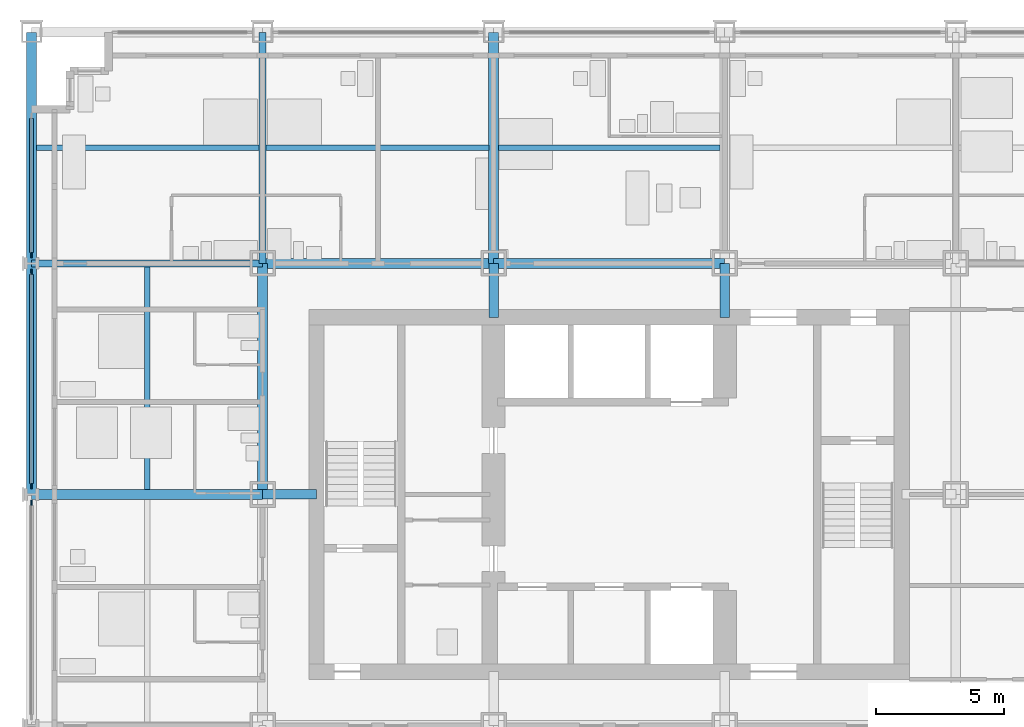
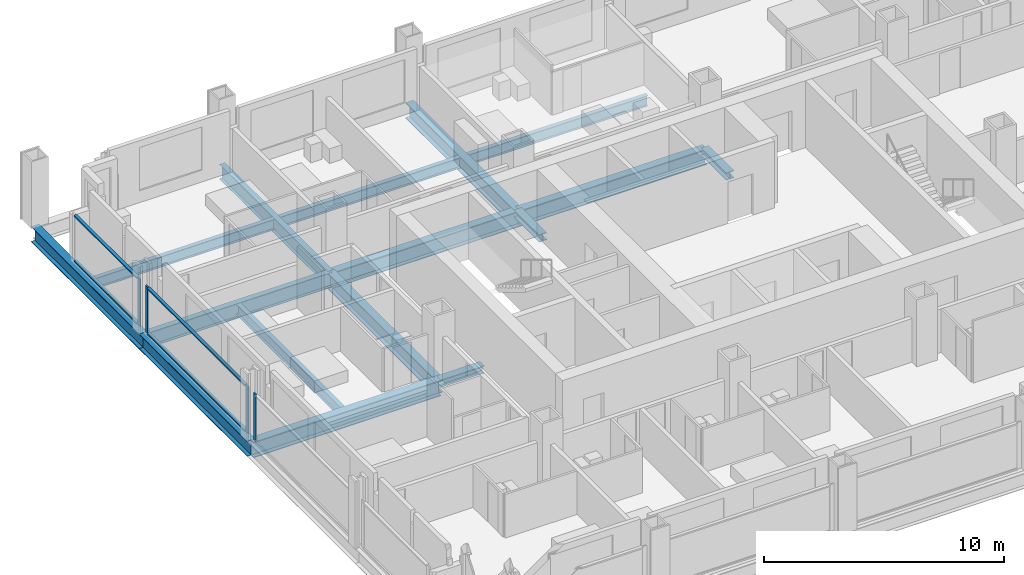
# One storey, part 4 of 19: 13 beams, 11 members, 3 elements without a shape of their own.
"""IFC4 building model written with IfcOpenShell, lengths in metres."""

from ifc_helpers import new_model, si_unit, direction, frame, origin, origin_2d, place, context, subcontext, project, spatial, rectangle, i_section, extrude, material, material_profile, profile_set, type_object, element, aggregate, save


model = new_model("IFC4")

# Units and contexts
model_context = context("Model", 3, precision=1e-05, world=origin(), true_north=direction((0.0, 1.0)))
body_context = subcontext(model_context, "Body", "Model", "MODEL_VIEW")
ifc_project = project(units=[si_unit("LENGTHUNIT", "METRE"), si_unit("AREAUNIT", "SQUARE_METRE"), si_unit("VOLUMEUNIT", "CUBIC_METRE"), si_unit("PLANEANGLEUNIT", "RADIAN"), si_unit("MASSUNIT", "GRAM", prefix="KILO")], contexts=[model_context])

# Site, building, storey
site_placement = place(None, origin())
site = spatial("IfcSite", under=ifc_project, at=site_placement, CompositionType="ELEMENT")
building_placement = place(site_placement, origin())
building = spatial("IfcBuilding", under=site, at=building_placement, Name="Loomwork Tower", CompositionType="ELEMENT")
storey_placement = place(building_placement, frame((0.0, 0.0, 85.800048828125)))
storey = spatial("IfcBuildingStorey", under=building, at=storey_placement, Name="L22", CompositionType="ELEMENT", Elevation=85.800048828125)

# Beams
ifc_material_1 = material(Name="Steel ASTM A992", Category="steel")
ifc_material_profile_1 = material_profile(ifc_material_1, i_section(OverallWidth=0.383544921875, OverallDepth=0.794921875, WebThickness=0.02099609375, FlangeThickness=0.0380859375, at=origin_2d()), Name="W30x235")
ifc_profile_set_1 = profile_set([ifc_material_profile_1], Name="Steel ASTM A992")
beam_type_1 = type_object("IfcBeamType", Name="CORE FLANK GIRDER W30x235", PredefinedType="BEAM", material=ifc_profile_set_1)
for number, where, z_axis, x_axis, name in (
    (1, (0.0, 18.0, -0.59765625), (1.0, 0.0, 0.0), (0.0, 1.0, 0.0), "Core Flank Girder F/2-F/3 L22"),
    (2, (9.0, 27.0, -0.59765625), (1.0, 0.0, 0.0), (0.0, 1.0, 0.0), "Core Flank Girder G/3-G/4 L22"),
    (3, (18.0, 27.0, -0.59765625), (1.0, 0.0, 0.0), (0.0, 1.0, 0.0), "Core Flank Girder G/4-G/5 L22"),
    (4, (9.0, 18.0, -0.59765625), (0.0, 1.0, 0.0), (-1.0, 0.0, 0.0), "Core Flank Girder F/3-G/3 L22"),
    (5, (18.0, 27.0, -0.59765625), (0.0, 1.0, 0.0), (-1.0, 0.0, 0.0), "Core Flank Girder G/4-H/4 L22"),
):
    element("IfcBeam", number, at=place(storey_placement, frame(where, z_axis=z_axis, x_axis=x_axis)), inside=storey, type_object=beam_type_1, Name=name, PredefinedType="BEAM", context=body_context, shape_type="SweptSolid", body=[
        extrude(i_section(OverallWidth=0.383544921875, OverallDepth=0.794921875, WebThickness=0.02099609375, FlangeThickness=0.0380859375, at=origin_2d()), origin(), (0.0, 0.0, 1.0), 9.0),
    ])

# Members
ifc_material_2 = material(Name="Steel ASTM A992", Category="steel")
ifc_material_profile_2 = material_profile(ifc_material_2, i_section(OverallWidth=0.373291015625, OverallDepth=0.373291015625, WebThickness=0.016357421875, FlangeThickness=0.026123046875, at=origin_2d()), Name="W14x132")
ifc_profile_set_2 = profile_set([ifc_material_profile_2], Name="Steel ASTM A992")
member_type_1 = type_object("IfcMemberType", Name="CORE LINK STRUT W14x132", PredefinedType="STRUT", material=ifc_profile_set_2)
for number, where, z_axis, x_axis, name in (
    (6, (27.0, 27.0, -0.38671875), (0.0, -1.0, 0.0), (1.0, 0.0, 0.0), "Core link strut G/5-27.000,24.900 L22"),
    (7, (18.0, 27.0, -0.38671875), (0.0, -1.0, 0.0), (1.0, 0.0, 0.0), "Core link strut G/4-18.000,24.900 L22"),
    (8, (9.0, 18.0, -0.38671875), (1.0, 0.0, 0.0), (0.0, 1.0, 0.0), "Core link strut F/3-11.100,18.000 L22"),
):
    element("IfcMember", number, at=place(storey_placement, frame(where, z_axis=z_axis, x_axis=x_axis)), inside=storey, type_object=member_type_1, Name=name, PredefinedType="STRUT", context=body_context, shape_type="SweptSolid", body=[
        extrude(i_section(OverallWidth=0.373291015625, OverallDepth=0.373291015625, WebThickness=0.016357421875, FlangeThickness=0.026123046875, at=origin_2d()), origin(), (0.0, 0.0, 1.0), 2.10009765625),
    ])

# Beams
ifc_material_3 = material(Name="Steel ASTM A992", Category="steel")
ifc_material_profile_3 = material_profile(ifc_material_3, i_section(OverallWidth=0.2666015625, OverallDepth=0.761962890625, WebThickness=0.014404296875, FlangeThickness=0.021484375, at=origin_2d()), Name="W30x116")
ifc_profile_set_3 = profile_set([ifc_material_profile_3], Name="Steel ASTM A992")
beam_type_2 = type_object("IfcBeamType", Name="FLOOR GIRDER W30x116", PredefinedType="BEAM", material=ifc_profile_set_3)
for number, where, z_axis, x_axis, name in (
    (9, (0.0, 27.0, -0.5810546875), (1.0, 0.0, 0.0), (0.0, 1.0, 0.0), "Floor Girder G/2-G/3 L22"),
    (10, (9.0, 27.0, -0.5810546875), (0.0, 1.0, 0.0), (-1.0, 0.0, 0.0), "Floor Girder G/3-H/3 L22"),
):
    element("IfcBeam", number, at=place(storey_placement, frame(where, z_axis=z_axis, x_axis=x_axis)), inside=storey, type_object=beam_type_2, Name=name, PredefinedType="BEAM", context=body_context, shape_type="SweptSolid", body=[
        extrude(i_section(OverallWidth=0.2666015625, OverallDepth=0.761962890625, WebThickness=0.014404296875, FlangeThickness=0.021484375, at=origin_2d()), origin(), (0.0, 0.0, 1.0), 9.0),
    ])
ifc_material_4 = material(Name="Steel ASTM A992", Category="steel")
ifc_material_profile_4 = material_profile(ifc_material_4, i_section(OverallWidth=0.2109375, OverallDepth=0.53857421875, WebThickness=0.011474609375, FlangeThickness=0.018798828125, at=origin_2d()), Name="W21x73")
ifc_profile_set_4 = profile_set([ifc_material_profile_4], Name="Steel ASTM A992")
beam_type_3 = type_object("IfcBeamType", Name="FLOOR JOIST W21x73", PredefinedType="JOIST", material=ifc_profile_set_4)
beam_1_placement = place(storey_placement, frame((4.5, 18.19091796875, -0.46923828125), z_axis=(0.0, 1.0, 0.0), x_axis=(-1.0, 0.0, 0.0)))
element("IfcBeam", 11, at=beam_1_placement, inside=storey, type_object=beam_type_3, Name="Floor Joist 4.500,18.000-4.500,27.000 L22", PredefinedType="JOIST", context=body_context, shape_type="SweptSolid", body=[
    extrude(i_section(OverallWidth=0.2109375, OverallDepth=0.53857421875, WebThickness=0.011474609375, FlangeThickness=0.018798828125, at=origin_2d()), origin(), (0.0, 0.0, 1.0), 8.676025390625),
])
beam_2_placement = place(storey_placement, frame((0.18994140625, 31.5, -0.46923828125), z_axis=(1.0, 0.0, 0.0), x_axis=(0.0, 1.0, 0.0)))
element("IfcBeam", 12, at=beam_2_placement, inside=storey, type_object=beam_type_3, Name="Floor Joist 0.000,31.500-9.000,31.500 L22", PredefinedType="JOIST", context=body_context, shape_type="SweptSolid", body=[
    extrude(i_section(OverallWidth=0.2109375, OverallDepth=0.53857421875, WebThickness=0.011474609375, FlangeThickness=0.018798828125, at=origin_2d()), origin(), (0.0, 0.0, 1.0), 8.677001953125),
])
beam_3_placement = place(storey_placement, frame((9.133056640625, 31.5, -0.46923828125), z_axis=(1.0, 0.0, 0.0), x_axis=(0.0, 1.0, 0.0)))
element("IfcBeam", 13, at=beam_3_placement, inside=storey, type_object=beam_type_3, Name="Floor Joist 9.000,31.500-18.000,31.500 L22", PredefinedType="JOIST", context=body_context, shape_type="SweptSolid", body=[
    extrude(i_section(OverallWidth=0.2109375, OverallDepth=0.53857421875, WebThickness=0.011474609375, FlangeThickness=0.018798828125, at=origin_2d()), origin(), (0.0, 0.0, 1.0), 8.676025390625),
])
beam_4_placement = place(storey_placement, frame((18.19091796875, 31.5, -0.46923828125), z_axis=(1.0, 0.0, 0.0), x_axis=(0.0, 1.0, 0.0)))
element("IfcBeam", 14, at=beam_4_placement, inside=storey, type_object=beam_type_3, Name="Floor Joist 18.000,31.500-27.000,31.500 L22", PredefinedType="JOIST", context=body_context, shape_type="SweptSolid", body=[
    extrude(i_section(OverallWidth=0.2109375, OverallDepth=0.53857421875, WebThickness=0.011474609375, FlangeThickness=0.018798828125, at=origin_2d()), origin(), (0.0, 0.0, 1.0), 8.6181640625),
])

# Curtain wall, member
ifc_material_5 = material(Name="Aluminium curtain wall frame", Category="aluminium")
curtain_wall_type = type_object("IfcCurtainWallType", Name="Outer skin glazing hotel", PredefinedType="NOTDEFINED", material=ifc_material_5)
curtain_wall_1_placement = place(storey_placement, origin())
curtain_wall_1 = element("IfcCurtainWall", 15, at=curtain_wall_1_placement, inside=storey, type_object=curtain_wall_type, Name="Outer skin glazing hotel cw/W-9", PredefinedType="NOTDEFINED")
ifc_material_6 = material(Name="Aluminium curtain wall frame", Category="aluminium")
ifc_material_profile_5 = material_profile(ifc_material_6, rectangle(XDim=0.06494140625, YDim=0.199951171875, at=origin_2d()), Name="AL 65x200")
ifc_profile_set_5 = profile_set([ifc_material_profile_5], Name="Aluminium curtain wall frame")
member_type_2 = type_object("IfcMemberType", Name="Outer skin glazing hotel mullion", PredefinedType="MULLION", material=ifc_profile_set_5)
member_1_placement = place(storey_placement, frame((0.0, 17.672607421875, 0.0), z_axis=(0.0, 0.0, 1.0), x_axis=(1.0, 0.0, 0.0)))
member_1 = element("IfcMember", 16, at=member_1_placement, type_object=member_type_2, Name="CW1 mullion 1", PredefinedType="MULLION", context=body_context, shape_type="SweptSolid", body=[
    extrude(rectangle(XDim=0.06494140625, YDim=0.199951171875, at=origin_2d()), origin(), (0.0, 0.0, 1.0), 2.3701171875),
])
aggregate(curtain_wall_1, [member_1])

# Curtain wall, members
curtain_wall_2_placement = place(storey_placement, origin())
curtain_wall_2 = element("IfcCurtainWall", 17, at=curtain_wall_2_placement, inside=storey, type_object=curtain_wall_type, Name="Outer skin glazing hotel cw/W-18", PredefinedType="NOTDEFINED")
member_2_placement = place(storey_placement, frame((0.0, 26.672607421875, 0.0), z_axis=(0.0, 0.0, 1.0), x_axis=(1.0, 0.0, 0.0)))
member_2 = element("IfcMember", 18, at=member_2_placement, type_object=member_type_2, Name="CW1 mullion 1", PredefinedType="MULLION", context=body_context, shape_type="SweptSolid", body=[
    extrude(rectangle(XDim=0.06494140625, YDim=0.199951171875, at=origin_2d()), origin(), (0.0, 0.0, 1.0), 2.3701171875),
])
member_3_placement = place(storey_placement, frame((0.0, 18.327392578125, 0.0), z_axis=(0.0, 0.0, 1.0), x_axis=(1.0, 0.0, 0.0)))
member_3 = element("IfcMember", 19, at=member_3_placement, type_object=member_type_2, Name="CW1 mullion 2", PredefinedType="MULLION", context=body_context, shape_type="SweptSolid", body=[
    extrude(rectangle(XDim=0.06494140625, YDim=0.199951171875, at=origin_2d()), origin(), (0.0, 0.0, 1.0), 2.3701171875),
])

# Curtain wall, member
curtain_wall_3_placement = place(storey_placement, origin())
curtain_wall_3 = element("IfcCurtainWall", 20, at=curtain_wall_3_placement, inside=storey, type_object=curtain_wall_type, Name="Outer skin glazing hotel cw/W-27", PredefinedType="NOTDEFINED")
member_4_placement = place(storey_placement, frame((0.0, 27.327392578125, 0.0), z_axis=(0.0, 0.0, 1.0), x_axis=(1.0, 0.0, 0.0)))
member_4 = element("IfcMember", 21, at=member_4_placement, type_object=member_type_2, Name="CW1 mullion 2", PredefinedType="MULLION", context=body_context, shape_type="SweptSolid", body=[
    extrude(rectangle(XDim=0.06494140625, YDim=0.199951171875, at=origin_2d()), origin(), (0.0, 0.0, 1.0), 2.3701171875),
])

# Member
ifc_material_7 = material(Name="Aluminium curtain wall frame", Category="aluminium")
ifc_material_profile_6 = material_profile(ifc_material_7, rectangle(XDim=0.14990234375, YDim=0.06494140625, at=origin_2d()), Name="AL 65x150")
ifc_profile_set_6 = profile_set([ifc_material_profile_6], Name="Aluminium curtain wall frame")
member_type_3 = type_object("IfcMemberType", Name="Outer skin glazing hotel transom", PredefinedType="USERDEFINED", material=ifc_profile_set_6)
member_5_placement = place(storey_placement, frame((0.0, 26.57275390625, 0.032470703125), z_axis=(0.0, -1.0, 0.0), x_axis=(1.0, 0.0, 0.0)))
member_5 = element("IfcMember", 22, at=member_5_placement, type_object=member_type_3, Name="CW1 transom 1.1", ObjectType="TRANSOM", PredefinedType="USERDEFINED", context=body_context, shape_type="SweptSolid", body=[
    extrude(rectangle(XDim=0.14990234375, YDim=0.06494140625, at=origin_2d()), origin(), (0.0, 0.0, 1.0), 8.1455078125),
])

member_6_placement = place(storey_placement, frame((0.0, 26.57275390625, 2.337646484375), z_axis=(0.0, -1.0, 0.0), x_axis=(1.0, 0.0, 0.0)))
member_6 = element("IfcMember", 23, at=member_6_placement, type_object=member_type_3, Name="CW1 transom 1.2", ObjectType="TRANSOM", PredefinedType="USERDEFINED", context=body_context, shape_type="SweptSolid", body=[
    extrude(rectangle(XDim=0.14990234375, YDim=0.06494140625, at=origin_2d()), origin(), (0.0, 0.0, 1.0), 8.1455078125),
])

aggregate(curtain_wall_2, [member_2, member_3, member_5, member_6])

member_7_placement = place(storey_placement, frame((0.0, 32.64990234375, 0.032470703125), z_axis=(0.0, -1.0, 0.0), x_axis=(1.0, 0.0, 0.0)))
member_7 = element("IfcMember", 24, at=member_7_placement, type_object=member_type_3, Name="CW1 transom 1.1", ObjectType="TRANSOM", PredefinedType="USERDEFINED", context=body_context, shape_type="SweptSolid", body=[
    extrude(rectangle(XDim=0.14990234375, YDim=0.06494140625, at=origin_2d()), origin(), (0.0, 0.0, 1.0), 5.22265625),
])

member_8_placement = place(storey_placement, frame((0.0, 32.64990234375, 2.337646484375), z_axis=(0.0, -1.0, 0.0), x_axis=(1.0, 0.0, 0.0)))
member_8 = element("IfcMember", 25, at=member_8_placement, type_object=member_type_3, Name="CW1 transom 1.2", ObjectType="TRANSOM", PredefinedType="USERDEFINED", context=body_context, shape_type="SweptSolid", body=[
    extrude(rectangle(XDim=0.14990234375, YDim=0.06494140625, at=origin_2d()), origin(), (0.0, 0.0, 1.0), 5.22265625),
])

aggregate(curtain_wall_3, [member_4, member_7, member_8])

# Beams
ifc_material_8 = material(Name="Steel ASTM A992", Category="steel")
ifc_material_profile_7 = material_profile(ifc_material_8, i_section(OverallWidth=0.381103515625, OverallDepth=0.77978515625, WebThickness=0.01806640625, FlangeThickness=0.0302734375, at=origin_2d()), Name="W30x191")
ifc_profile_set_7 = profile_set([ifc_material_profile_7], Name="Steel ASTM A992")
beam_type_4 = type_object("IfcBeamType", Name="SPANDREL GIRDER W30x191", PredefinedType="SPANDREL", material=ifc_profile_set_7)
for number, where, z_axis, x_axis, name in (
    (26, (0.0, 18.0, -0.58984375), (0.0, 1.0, 0.0), (-1.0, 0.0, 0.0), "Spandrel Girder F/2-G/2 L22"),
    (27, (0.0, 27.0, -0.58984375), (0.0, 1.0, 0.0), (-1.0, 0.0, 0.0), "Spandrel Girder G/2-H/2 L22"),
):
    element("IfcBeam", number, at=place(storey_placement, frame(where, z_axis=z_axis, x_axis=x_axis)), inside=storey, type_object=beam_type_4, Name=name, PredefinedType="SPANDREL", context=body_context, shape_type="SweptSolid", body=[
        extrude(i_section(OverallWidth=0.381103515625, OverallDepth=0.77978515625, WebThickness=0.01806640625, FlangeThickness=0.0302734375, at=origin_2d()), origin(), (0.0, 0.0, 1.0), 9.0),
    ])

save(model, "model.ifc")
